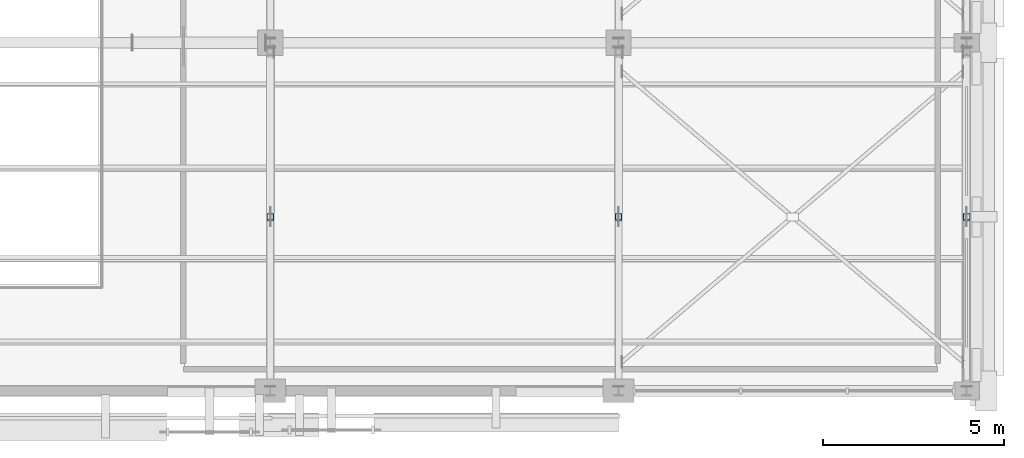
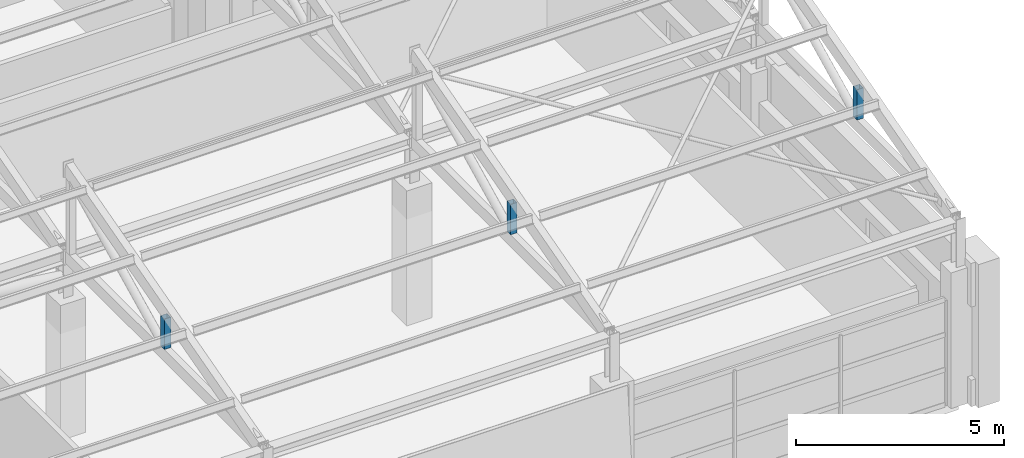
# One storey, part 31 of 58: 3 members.
"""IFC4 building model written with IfcOpenShell, lengths in metres."""

from ifc_helpers import new_model, si_unit, direction, frame, origin, origin_2d, place, context, subcontext, project, spatial, hollow_rectangle, extrude, material, material_profile, profile_set, type_object, element, save


model = new_model("IFC4")

# Units and contexts
model_context = context("Model", 3, precision=1e-05, world=origin(), true_north=direction((0.0, 1.0)))
body_context = subcontext(model_context, "Body", "Model", "MODEL_VIEW")
ifc_project = project(units=[si_unit("LENGTHUNIT", "METRE"), si_unit("AREAUNIT", "SQUARE_METRE"), si_unit("VOLUMEUNIT", "CUBIC_METRE"), si_unit("PLANEANGLEUNIT", "RADIAN"), si_unit("MASSUNIT", "GRAM", prefix="KILO")], contexts=[model_context])

# Site, building, storey
site_placement = place(None, origin())
site = spatial("IfcSite", under=ifc_project, at=site_placement, CompositionType="ELEMENT")
building_placement = place(site_placement, origin())
building = spatial("IfcBuilding", under=site, at=building_placement, Name="Bempovik Park Faculty of Sciences", CompositionType="ELEMENT")
storey_placement = place(building_placement, frame((0.0, 0.0, 18.300048828125)))
storey = spatial("IfcBuildingStorey", under=building, at=storey_placement, Name="L04", CompositionType="ELEMENT", Elevation=18.300048828125)

# Members
ifc_material = material(Name="Steel S355", Category="steel")
ifc_material_profile = material_profile(ifc_material, hollow_rectangle(XDim=0.179931640625, YDim=0.179931640625, WallThickness=0.008056640625, at=origin_2d()), Name="SHS 180x180x8")
ifc_profile_set = profile_set([ifc_material_profile], Name="Steel S355")
member_type = type_object("IfcMemberType", Name="M-40 SHS 180x180x8", PredefinedType="POST", material=ifc_profile_set)
for number, where, z_axis, x_axis, name in (
    (1, (108.0, 72.60009765625, 5.36083984375), (0.0, 0.0, 1.0), (1.0, 0.0, 0.0), "Sawtooth Mid Post V2-B1 (108.0)"),
    (2, (117.60009765625, 72.60009765625, 5.36083984375), (0.0, 0.0, 1.0), (1.0, 0.0, 0.0), "Sawtooth Mid Post V2-B1 (117.6)"),
    (3, (127.199951171875, 72.60009765625, 5.36083984375), (0.0, 0.0, 1.0), (1.0, 0.0, 0.0), "Sawtooth Mid Post V2-B1 (127.2)"),
):
    element("IfcMember", number, at=place(storey_placement, frame(where, z_axis=z_axis, x_axis=x_axis)), inside=storey, type_object=member_type, Name=name, PredefinedType="POST", context=body_context, shape_type="SweptSolid", body=[
        extrude(hollow_rectangle(XDim=0.179931640625, YDim=0.179931640625, WallThickness=0.008056640625, at=origin_2d()), origin(), (0.0, 0.0, 1.0), 0.8876953125),
    ])

save(model, "model.ifc")
